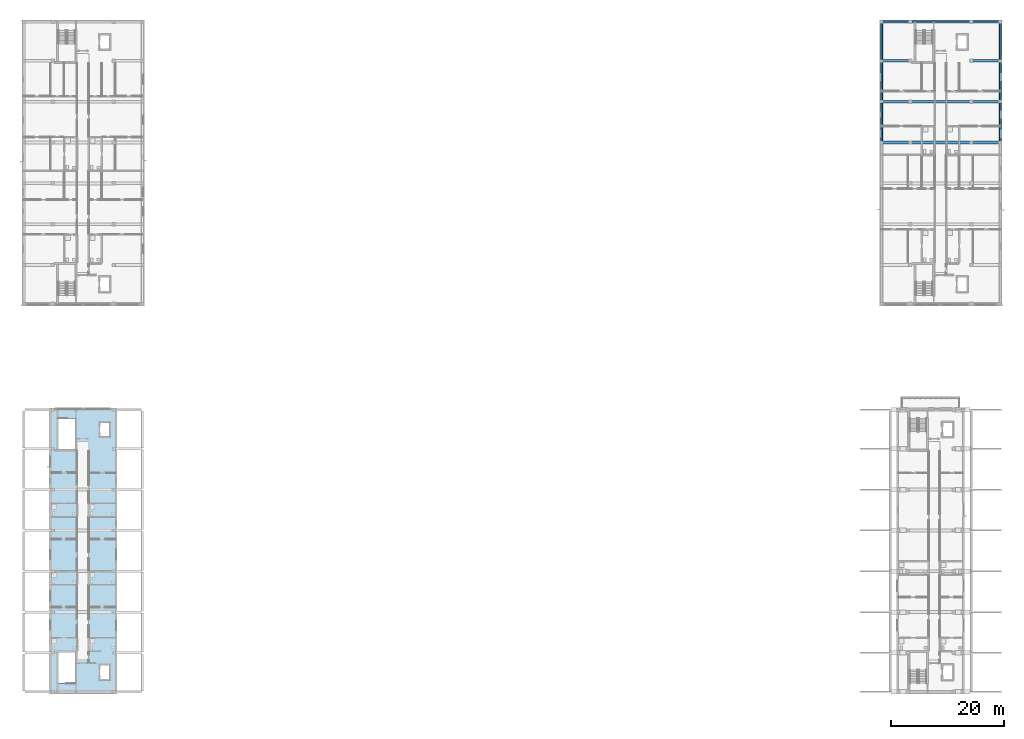
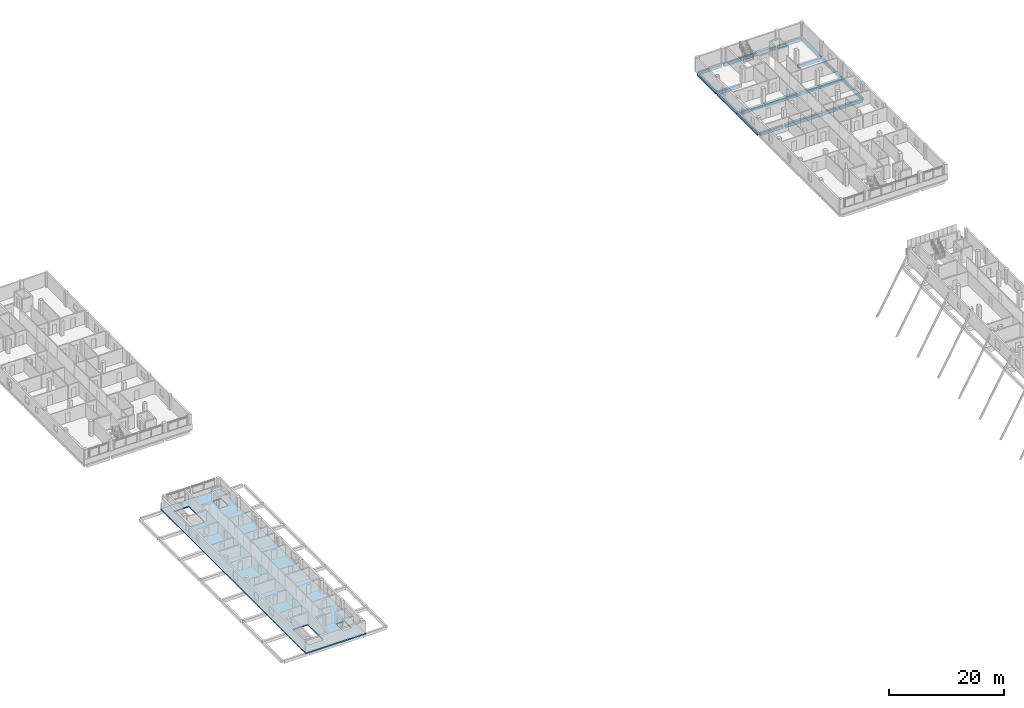
# One storey, part 7 of 34: 17 beams, 1 slab.
"""IFC4 building model written with IfcOpenShell, lengths in metres."""

import ifcopenshell
import ifcopenshell.guid

model = None  # the IFC model being written
_history = None  # IfcOwnerHistory: only IFC2X3 demands one
_inside = {}  # id of a spatial element -> (the spatial element, [elements in it])
_under = {}  # id of a project, library or spatial element -> (it, [spatial elements below it])
_declared = {}  # id of a project -> (the project, [libraries it declares])
_typed = {}  # id of a type object -> (the type object, [elements of that type])
_made_of = {}  # id of a material, layer set ... -> (it, [elements and type objects made of it])


def new_model(schema):
    """Start an empty IFC model of exactly this schema.

    Asked for "IFC4X3", IfcOpenShell would pick the latest addendum, in which some entities
    have other attributes; the version numbers below select the first issue.
    IFC2X3 requires an IfcOwnerHistory on every rooted entity: one is made here for all.
    """
    global model, _history
    if schema == "IFC4X3":
        model = ifcopenshell.file(schema_version=(4, 3, 0, 0))
    else:
        model = ifcopenshell.file(schema=schema)
    _inside.clear()
    _under.clear()
    _declared.clear()
    _typed.clear()
    _made_of.clear()
    _history = None
    if model.schema == "IFC2X3":
        org = make("IfcOrganization", Name="unknown")
        user = make(
            "IfcPersonAndOrganization",
            ThePerson=make("IfcPerson", FamilyName="unknown"),
            TheOrganization=org,
        )
        app = make(
            "IfcApplication",
            ApplicationDeveloper=org,
            Version="unknown",
            ApplicationFullName="unknown",
            ApplicationIdentifier="unknown",
        )
        _history = make(
            "IfcOwnerHistory",
            OwningUser=user,
            OwningApplication=app,
            ChangeAction="ADDED",
            CreationDate=0,
        )
    return model


def make(cls, **values):
    """One entity of the class cls with the attributes given. An attribute that is None is left unset."""
    return model.create_entity(
        cls, **{name: value for name, value in values.items() if value is not None}
    )


def rooted(cls, **values):
    """An entity with a GlobalId (a new one), such as an element, a storey or a relation."""
    return make(cls, GlobalId=ifcopenshell.guid.new(), OwnerHistory=_history, **values)


def si_unit(unit_type, name, prefix=None):
    """IfcSIUnit, for example si_unit("LENGTHUNIT", "METRE", prefix="MILLI")."""
    return make("IfcSIUnit", UnitType=unit_type, Prefix=prefix, Name=name)


def derived_unit(unit_type, elements):
    """IfcDerivedUnit: a product of units, each with its exponent."""
    return make(
        "IfcDerivedUnit",
        Elements=[
            make("IfcDerivedUnitElement", Unit=unit, Exponent=power)
            for unit, power in elements
        ],
        UnitType=unit_type,
    )


def assignment(units):
    """IfcUnitAssignment: the units of a project."""
    return None if units is None else make("IfcUnitAssignment", Units=units)


def point(xyz):
    """IfcCartesianPoint."""
    return None if xyz is None else make("IfcCartesianPoint", Coordinates=xyz)


def direction(xyz):
    """IfcDirection."""
    return None if xyz is None else make("IfcDirection", DirectionRatios=xyz)


def frame(location, z_axis=None, x_axis=None):
    """IfcAxis2Placement3D, a coordinate frame: its origin and axes. An axis left out is left unset."""
    return make(
        "IfcAxis2Placement3D",
        Location=point(location),
        Axis=direction(z_axis),
        RefDirection=direction(x_axis),
    )


def frame_2d(location, x_axis=None):
    """IfcAxis2Placement2D, a coordinate frame in the plane: its origin and x axis."""
    return make(
        "IfcAxis2Placement2D", Location=point(location), RefDirection=direction(x_axis)
    )


def origin():
    """The frame at (0, 0, 0) with its axes left unset."""
    return frame((0.0, 0.0, 0.0))


def origin_2d():
    """The frame at (0, 0) in the plane with its x axis left unset."""
    return frame_2d((0.0, 0.0))


def place(relative_to, where):
    """IfcLocalPlacement: puts the frame where relative to a parent placement (None: the world)."""
    return make(
        "IfcLocalPlacement", PlacementRelTo=relative_to, RelativePlacement=where
    )


def context(
    kind, dimensions, precision=None, world=None, true_north=None, identifier=None
):
    """IfcGeometricRepresentationContext, for example the 3D "Model" context."""
    return make(
        "IfcGeometricRepresentationContext",
        ContextIdentifier=identifier,
        ContextType=kind,
        CoordinateSpaceDimension=dimensions,
        Precision=precision,
        WorldCoordinateSystem=world,
        TrueNorth=true_north,
    )


def subcontext(parent, identifier, kind, view, scale=None):
    """IfcGeometricRepresentationSubContext, for example "Body" below "Model"."""
    return make(
        "IfcGeometricRepresentationSubContext",
        ContextIdentifier=identifier,
        ContextType=kind,
        ParentContext=parent,
        TargetScale=scale,
        TargetView=view,
    )


def project(units=None, contexts=None):
    """IfcProject with its units and contexts."""
    return rooted(
        "IfcProject",
        Name="project",
        RepresentationContexts=contexts,
        UnitsInContext=assignment(units),
    )


def spatial(cls, under=None, at=None, **own):
    """A site, building, storey or space (cls), placed at a placement, below another one or the project."""
    s = rooted(cls, ObjectPlacement=at, **own)
    if under is not None:
        _under.setdefault(under.id(), (under, []))[1].append(s)
    return s


def polyline(points):
    """IfcPolyline through the points."""
    return make("IfcPolyline", Points=[point(p) for p in points])


def profile(cls, at=None, kind="AREA", **sizes):
    """A parametric profile (cls). Its sizes go by their IFC names, for example OverallWidth=200.0."""
    return make(cls, ProfileType=kind, Position=at, **sizes)


def rectangle(**sizes):
    """IfcRectangleProfileDef."""
    return profile("IfcRectangleProfileDef", **sizes)


def outline(outer, holes=None, kind="AREA"):
    """IfcArbitraryClosedProfileDef: a profile drawn as a closed curve; with holes, ...WithVoids."""
    if holes is None:
        return make("IfcArbitraryClosedProfileDef", ProfileType=kind, OuterCurve=outer)
    return make(
        "IfcArbitraryProfileDefWithVoids",
        ProfileType=kind,
        OuterCurve=outer,
        InnerCurves=holes,
    )


def extrude(swept, where, along, depth):
    """IfcExtrudedAreaSolid: the profile swept, set in the frame where, extruded along a direction by depth."""
    return make(
        "IfcExtrudedAreaSolid",
        SweptArea=swept,
        Position=where,
        ExtrudedDirection=direction(along),
        Depth=depth,
    )


def shape(context_of_items, identifier, shape_type, items):
    """IfcShapeRepresentation: the items that make up one representation, for example the "Body"."""
    return make(
        "IfcShapeRepresentation",
        ContextOfItems=context_of_items,
        RepresentationIdentifier=identifier,
        RepresentationType=shape_type,
        Items=items,
    )


def material(Name=None, Category=None):
    """IfcMaterial."""
    return make("IfcMaterial", Name=Name, Category=Category)


def layer(
    of_material, thickness, ventilated=None, Name=None, Category=None, Priority=None
):
    """IfcMaterialLayer: one layer of a wall or slab, of a material (None: an air gap)."""
    return make(
        "IfcMaterialLayer",
        Material=of_material,
        LayerThickness=thickness,
        IsVentilated=ventilated,
        Name=Name,
        Category=Category,
        Priority=Priority,
    )


def layer_set(layers, Name=None):
    """IfcMaterialLayerSet."""
    return make("IfcMaterialLayerSet", MaterialLayers=layers, LayerSetName=Name)


def material_profile(
    of_material, cross_section, Name=None, Category=None, Priority=None
):
    """IfcMaterialProfile: a cross section and its material."""
    return make(
        "IfcMaterialProfile",
        Name=Name,
        Material=of_material,
        Profile=cross_section,
        Priority=Priority,
        Category=Category,
    )


def profile_set(profiles, Name=None, composite=None):
    """IfcMaterialProfileSet."""
    return make(
        "IfcMaterialProfileSet",
        Name=Name,
        MaterialProfiles=profiles,
        CompositeProfile=composite,
    )


def made_of(thing, what):
    """Note that an element or type object is made of a material, layer set ...; save() writes the relation."""
    if what is not None:
        _made_of.setdefault(what.id(), (what, []))[1].append(thing)
    return thing


def type_object(cls, material=None, **own):
    """A type object (cls), such as IfcWallType, which elements share."""
    return made_of(rooted(cls, **own), material)


def element(
    cls,
    number,
    at=None,
    inside=None,
    cuts=None,
    type_object=None,
    material=None,
    context=None,
    identifier="Body",
    shape_type=None,
    held_by="IfcProductDefinitionShape",
    body=None,
    shapes=None,
    **own,
):
    """One element of the class cls, such as IfcWall. Its Tag is "e" and its number.

    at: its placement. inside: the storey or other place that contains it. cuts: it is an
    opening in that element (IfcRelVoidsElement). A single representation is given by context,
    identifier, shape_type and body (its items); several are given by shapes. held_by: the class
    of the entity that holds the representations. save() writes the other relations.
    """
    e = rooted(cls, Tag="e%d" % number, ObjectPlacement=at, **own)
    if body is not None:
        shapes = [shape(context, identifier, shape_type, body)]
    if shapes is not None:
        e.Representation = make(held_by, Representations=shapes)
    if inside is not None:
        _inside.setdefault(inside.id(), (inside, []))[1].append(e)
    if cuts is not None:
        rooted(
            "IfcRelVoidsElement", RelatingBuildingElement=cuts, RelatedOpeningElement=e
        )
    if type_object is not None:
        _typed.setdefault(type_object.id(), (type_object, []))[1].append(e)
    return made_of(e, material)


def aggregate(whole, parts):
    """IfcRelAggregates: a whole, such as a stair, and the parts it consists of."""
    return rooted("IfcRelAggregates", RelatingObject=whole, RelatedObjects=parts)


def save(model, path):
    """Write the relations noted so far, then the file.

    IfcRelAggregates (storeys below a building ...), IfcRelContainedInSpatialStructure (elements
    in a storey), IfcRelDefinesByType, IfcRelAssociatesMaterial and IfcRelDeclares: one each for
    every whole, place, type object, material and project.
    """
    for whole, parts in _under.values():
        aggregate(whole, parts)
    for where, things in _inside.values():
        rooted(
            "IfcRelContainedInSpatialStructure",
            RelatedElements=things,
            RelatingStructure=where,
        )
    for kind, things in _typed.values():
        rooted("IfcRelDefinesByType", RelatedObjects=things, RelatingType=kind)
    for what, things in _made_of.values():
        rooted("IfcRelAssociatesMaterial", RelatedObjects=things, RelatingMaterial=what)
    for by, libraries in _declared.values():
        rooted("IfcRelDeclares", RelatingContext=by, RelatedDefinitions=libraries)
    model.write(path)


model = new_model("IFC4")

# Units and contexts
model_context = context("Model", 3, precision=1e-05, world=origin(), true_north=direction((0.0, 1.0)))
body_context = subcontext(model_context, "Body", "Model", "MODEL_VIEW")
ifc_project = project(units=[si_unit("LENGTHUNIT", "METRE"), si_unit("AREAUNIT", "SQUARE_METRE"), si_unit("VOLUMEUNIT", "CUBIC_METRE"), si_unit("PLANEANGLEUNIT", "RADIAN"), si_unit("MASSUNIT", "GRAM", prefix="KILO"), derived_unit("THERMALTRANSMITTANCEUNIT", [(si_unit("MASSUNIT", "GRAM", prefix="KILO"), 1), (si_unit("TIMEUNIT", "SECOND"), -3), (si_unit("THERMODYNAMICTEMPERATUREUNIT", "KELVIN"), -1)])], contexts=[model_context])

# Site, building, storey
site_placement = place(None, origin())
site = spatial("IfcSite", under=ifc_project, at=site_placement, CompositionType="ELEMENT")
building_placement = place(site_placement, origin())
building = spatial("IfcBuilding", under=site, at=building_placement, Name="Ochrekiln Boulevard Commons", CompositionType="ELEMENT")
storey_placement = place(building_placement, frame((0.0, 0.0, 27.824951171875)))
storey = spatial("IfcBuildingStorey", under=building, at=storey_placement, Name="L08", CompositionType="ELEMENT", Elevation=27.824951171875)

# Beams
ifc_material_1 = material(Name="Concrete C35/45", Category="concrete")
ifc_material_profile_1 = material_profile(ifc_material_1, rectangle(XDim=0.449951171875, YDim=0.64990234375, at=origin_2d()), Name="RC-BM-450x650")
ifc_profile_set_1 = profile_set([ifc_material_profile_1], Name="Concrete C35/45")
beam_type_1 = type_object("IfcBeamType", Name="BM-RC-450x650", PredefinedType="BEAM", material=ifc_profile_set_1)
for number, where, z_axis, x_axis, name in (
    (1, (151.760009765625, 97.199951171875, -0.574951171875), (1.0, 0.0, 0.0), (0.0, 1.0, 0.0), "Block B L08 Beam B-4565 X12"),
    (2, (167.610107421875, 97.199951171875, -0.574951171875), (1.0, 0.0, 0.0), (0.0, 1.0, 0.0), "Block B L08 Beam B-4565 X14"),
    (3, (151.760009765625, 104.39990234375, -0.574951171875), (1.0, 0.0, 0.0), (0.0, 1.0, 0.0), "Block B L08 Beam B-4565 X15"),
    (4, (167.610107421875, 104.39990234375, -0.574951171875), (1.0, 0.0, 0.0), (0.0, 1.0, 0.0), "Block B L08 Beam B-4565 X17"),
    (5, (151.760009765625, 111.60009765625, -0.574951171875), (1.0, 0.0, 0.0), (0.0, 1.0, 0.0), "Block B L08 Beam B-4565 X18"),
    (6, (167.610107421875, 111.60009765625, -0.574951171875), (1.0, 0.0, 0.0), (0.0, 1.0, 0.0), "Block B L08 Beam B-4565 X19"),
):
    element("IfcBeam", number, at=place(storey_placement, frame(where, z_axis=z_axis, x_axis=x_axis)), inside=storey, type_object=beam_type_1, Name=name, PredefinedType="BEAM", context=body_context, shape_type="SweptSolid", body=[
        extrude(rectangle(XDim=0.449951171875, YDim=0.64990234375, at=origin_2d()), origin(), (0.0, 0.0, 1.0), 4.6298828125),
    ])
ifc_material_2 = material(Name="Concrete C40/50", Category="concrete")
ifc_material_profile_2 = material_profile(ifc_material_2, rectangle(XDim=0.5, YDim=0.699951171875, at=origin_2d()), Name="RC-BM-500x700")
ifc_profile_set_2 = profile_set([ifc_material_profile_2], Name="Concrete C40/50")
beam_type_2 = type_object("IfcBeamType", Name="BM-RC-500x700", PredefinedType="BEAM", material=ifc_profile_set_2)
for number, where, z_axis, x_axis, name in (
    (7, (156.81005859375, 97.199951171875, -0.599853515625), (1.0, 0.0, 0.0), (0.0, 1.0, 0.0), "Block B L08 Beam B-5070 X13"),
    (8, (156.81005859375, 104.39990234375, -0.599853515625), (1.0, 0.0, 0.0), (0.0, 1.0, 0.0), "Block B L08 Beam B-5070 X16"),
):
    element("IfcBeam", number, at=place(storey_placement, frame(where, z_axis=z_axis, x_axis=x_axis)), inside=storey, type_object=beam_type_2, Name=name, PredefinedType="BEAM", context=body_context, shape_type="SweptSolid", body=[
        extrude(rectangle(XDim=0.5, YDim=0.699951171875, at=origin_2d()), origin(), (0.0, 0.0, 1.0), 10.3798828125),
    ])
ifc_material_profile_3 = material_profile(ifc_material_2, rectangle(XDim=0.35009765625, YDim=0.64990234375, at=origin_2d()), Name="RC-SPN-350x650")
ifc_profile_set_3 = profile_set([ifc_material_profile_3], Name="Concrete C40/50")
beam_type_3 = type_object("IfcBeamType", Name="SPN-RC-350x650", PredefinedType="SPANDREL", material=ifc_profile_set_3)
beam_1_placement = place(storey_placement, frame((151.760009765625, 118.449951171875, -0.574951171875), z_axis=(1.0, 0.0, 0.0), x_axis=(0.0, 1.0, 0.0)))
element("IfcBeam", 9, at=beam_1_placement, inside=storey, type_object=beam_type_3, Name="Block B L08 Beam SP-3565 X20", PredefinedType="SPANDREL", context=body_context, shape_type="SweptSolid", body=[
    extrude(rectangle(XDim=0.35009765625, YDim=0.64990234375, at=origin_2d()), origin(), (0.0, 0.0, 1.0), 4.6298828125),
])
beam_2_placement = place(storey_placement, frame((156.81005859375, 118.449951171875, -0.574951171875), z_axis=(1.0, 0.0, 0.0), x_axis=(0.0, 1.0, 0.0)))
element("IfcBeam", 10, at=beam_2_placement, inside=storey, type_object=beam_type_3, Name="Block B L08 Beam SP-3565 X21", PredefinedType="SPANDREL", context=body_context, shape_type="SweptSolid", body=[
    extrude(rectangle(XDim=0.35009765625, YDim=0.64990234375, at=origin_2d()), origin(), (0.0, 0.0, 1.0), 10.3798828125),
])
beam_3_placement = place(storey_placement, frame((167.610107421875, 118.449951171875, -0.574951171875), z_axis=(1.0, 0.0, 0.0), x_axis=(0.0, 1.0, 0.0)))
element("IfcBeam", 11, at=beam_3_placement, inside=storey, type_object=beam_type_3, Name="Block B L08 Beam SP-3565 X22", PredefinedType="SPANDREL", context=body_context, shape_type="SweptSolid", body=[
    extrude(rectangle(XDim=0.35009765625, YDim=0.64990234375, at=origin_2d()), origin(), (0.0, 0.0, 1.0), 4.6298828125),
])
beam_4_placement = place(storey_placement, frame((151.550048828125, 97.409912109375, -0.574951171875), z_axis=(0.0, 1.0, 0.0), x_axis=(-1.0, 0.0, 0.0)))
element("IfcBeam", 12, at=beam_4_placement, inside=storey, type_object=beam_type_3, Name="Block B L08 Beam SP-3565 Y27", PredefinedType="SPANDREL", context=body_context, shape_type="SweptSolid", body=[
    extrude(rectangle(XDim=0.35009765625, YDim=0.64990234375, at=origin_2d()), origin(), (0.0, 0.0, 1.0), 6.780029296875),
])
beam_5_placement = place(storey_placement, frame((151.550048828125, 104.610107421875, -0.574951171875), z_axis=(0.0, 1.0, 0.0), x_axis=(-1.0, 0.0, 0.0)))
element("IfcBeam", 13, at=beam_5_placement, inside=storey, type_object=beam_type_3, Name="Block B L08 Beam SP-3565 Y28", PredefinedType="SPANDREL", context=body_context, shape_type="SweptSolid", body=[
    extrude(rectangle(XDim=0.35009765625, YDim=0.64990234375, at=origin_2d()), origin(), (0.0, 0.0, 1.0), 6.77978515625),
])
beam_6_placement = place(storey_placement, frame((151.550048828125, 111.81005859375, -0.574951171875), z_axis=(0.0, 1.0, 0.0), x_axis=(-1.0, 0.0, 0.0)))
element("IfcBeam", 14, at=beam_6_placement, inside=storey, type_object=beam_type_3, Name="Block B L08 Beam SP-3565 Y29", PredefinedType="SPANDREL", context=body_context, shape_type="SweptSolid", body=[
    extrude(rectangle(XDim=0.35009765625, YDim=0.64990234375, at=origin_2d()), origin(), (0.0, 0.0, 1.0), 6.429931640625),
])
beam_7_placement = place(storey_placement, frame((172.449951171875, 97.409912109375, -0.574951171875), z_axis=(0.0, 1.0, 0.0), x_axis=(-1.0, 0.0, 0.0)))
element("IfcBeam", 15, at=beam_7_placement, inside=storey, type_object=beam_type_3, Name="Block B L08 Beam SP-3565 Y34", PredefinedType="SPANDREL", context=body_context, shape_type="SweptSolid", body=[
    extrude(rectangle(XDim=0.35009765625, YDim=0.64990234375, at=origin_2d()), origin(), (0.0, 0.0, 1.0), 6.780029296875),
])
beam_8_placement = place(storey_placement, frame((172.449951171875, 104.610107421875, -0.574951171875), z_axis=(0.0, 1.0, 0.0), x_axis=(-1.0, 0.0, 0.0)))
element("IfcBeam", 16, at=beam_8_placement, inside=storey, type_object=beam_type_3, Name="Block B L08 Beam SP-3565 Y35", PredefinedType="SPANDREL", context=body_context, shape_type="SweptSolid", body=[
    extrude(rectangle(XDim=0.35009765625, YDim=0.64990234375, at=origin_2d()), origin(), (0.0, 0.0, 1.0), 6.77978515625),
])
beam_9_placement = place(storey_placement, frame((172.449951171875, 111.81005859375, -0.574951171875), z_axis=(0.0, 1.0, 0.0), x_axis=(-1.0, 0.0, 0.0)))
element("IfcBeam", 17, at=beam_9_placement, inside=storey, type_object=beam_type_3, Name="Block B L08 Beam SP-3565 Y36", PredefinedType="SPANDREL", context=body_context, shape_type="SweptSolid", body=[
    extrude(rectangle(XDim=0.35009765625, YDim=0.64990234375, at=origin_2d()), origin(), (0.0, 0.0, 1.0), 6.429931640625),
])

# Slab
ifc_layer = layer(ifc_material_1, 0.25)
ifc_layer_set = layer_set([ifc_layer], Name="Concrete C35/45")
slab_type = type_object("IfcSlabType", Name="SLB-LOFT-250", PredefinedType="FLOOR", material=ifc_layer_set)
slab_placement = place(storey_placement, frame((0.0, 0.0, -0.25)))
element("IfcSlab", 18, at=slab_placement, inside=storey, type_object=slab_type, Name="Block D L08 Reinforced Concrete Floor Slab", PredefinedType="FLOOR", context=body_context, shape_type="SweptSolid", body=[
    extrude(outline(polyline([(4.800048828125, 0.0), (16.800048828125, 0.0), (16.800048828125, 50.39990234375), (4.800048828125, 50.39990234375), (4.800048828125, 0.0)]), holes=[polyline([(9.39990234375, 1.87060546875), (9.39990234375, 7.320068359375), (6.39990234375, 7.320068359375), (6.39990234375, 1.87060546875), (9.39990234375, 1.87060546875)]), polyline([(6.39990234375, 48.529541015625), (6.39990234375, 43.080078125), (9.39990234375, 43.080078125), (9.39990234375, 48.529541015625), (6.39990234375, 48.529541015625)]), polyline([(13.75, 2.550048828125), (15.449951171875, 2.550048828125), (15.449951171875, 5.050048828125), (13.75, 5.050048828125), (13.75, 2.550048828125)]), polyline([(13.75, 45.35009765625), (15.449951171875, 45.35009765625), (15.449951171875, 47.85009765625), (13.75, 47.85009765625), (13.75, 45.35009765625)])]), origin(), (0.0, 0.0, 1.0), 0.25),
])

save(model, "model.ifc")
